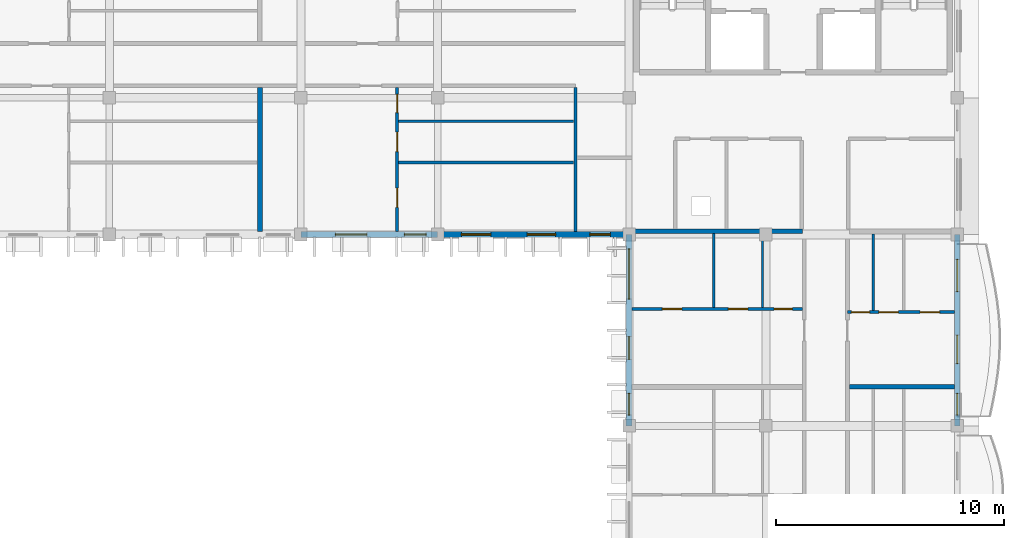
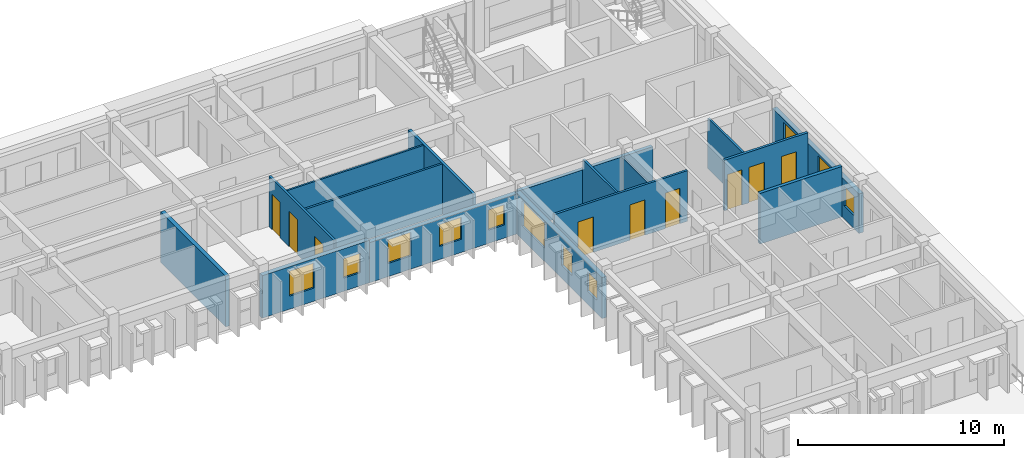
# One storey, part 25 of 45: 16 walls, 10 doors, 10 windows, 20 openings.
"""IFC4 building model written with IfcOpenShell, lengths in metres."""

from ifc_helpers import new_model, si_unit, direction, frame, frame_2d, origin, place, context, subcontext, project, spatial, rectangle, extrude, material, layer, layer_set, type_object, element, fill, save


model = new_model("IFC4")

# Units and contexts
model_context = context("Model", 3, precision=1e-05, world=origin(), true_north=direction((0.0, 1.0)))
body_context = subcontext(model_context, "Body", "Model", "MODEL_VIEW")
ifc_project = project(units=[si_unit("LENGTHUNIT", "METRE"), si_unit("AREAUNIT", "SQUARE_METRE"), si_unit("VOLUMEUNIT", "CUBIC_METRE"), si_unit("PLANEANGLEUNIT", "RADIAN"), si_unit("MASSUNIT", "GRAM", prefix="KILO"), si_unit("THERMODYNAMICTEMPERATUREUNIT", "KELVIN")], contexts=[model_context])

# Site, building, storey
site_placement = place(None, origin())
site = spatial("IfcSite", under=ifc_project, at=site_placement, CompositionType="ELEMENT")
building_placement = place(site_placement, origin())
building = spatial("IfcBuilding", under=site, at=building_placement, Name="Thalorik Housing Commons", CompositionType="ELEMENT")
storey_placement = place(building_placement, frame((0.0, 0.0, 34.5)))
storey = spatial("IfcBuildingStorey", under=building, at=storey_placement, Name="L10", CompositionType="ELEMENT", Elevation=34.5)

# Wall
ifc_material_1 = material(Name="Masonry fire-rated corridor wall", Category="masonry")
ifc_layer_1 = layer(ifc_material_1, 0.14990234375, Name="Masonry fire-rated corridor wall", Category="masonry")
ifc_layer_set_1 = layer_set([ifc_layer_1], Name="Masonry fire-rated corridor wall")
wall_type_1 = type_object("IfcWallType", Name="ARC-WAL-CORR-150", PredefinedType="PARTITIONING", material=ifc_layer_set_1)
wall_1_placement = place(storey_placement, frame((150.050048828125, 109.32958984375, 0.0), z_axis=(0.0, 0.0, 1.0), x_axis=(0.0, 1.0, 0.0)))
element("IfcWall", 1, at=wall_1_placement, inside=storey, type_object=wall_type_1, Name="L10 Block B Vestibule Cheek Wall", PredefinedType="PARTITIONING", context=body_context, shape_type="SweptSolid", body=[
    extrude(rectangle(XDim=6.3134765625, YDim=0.14990234375, at=frame_2d((3.15673828125, 0.0))), origin(), (0.0, 0.0, 1.0), 3.0),
])

# Wall, openings, windows
ifc_material_2 = material(Name="White precast concrete C40/50", Category="concrete")
ifc_layer_2 = layer(ifc_material_2, 0.2548828125, Name="White precast concrete C40/50", Category="concrete")
ifc_layer_set_2 = layer_set([ifc_layer_2], Name="White precast concrete C40/50")
wall_type_2 = type_object("IfcWallType", Name="ARC-WAL-EXT-255", PredefinedType="STANDARD", material=ifc_layer_set_2)
wall_2_placement = place(storey_placement, frame((138.0, 109.199951171875, 0.0), z_axis=(0.0, 0.0, 1.0), x_axis=(1.0, 0.0, 0.0)))
wall_2 = element("IfcWall", 2, at=wall_2_placement, inside=storey, type_object=wall_type_2, Name="L10 Exterior Wall WAL-EXT-L10-B-0759", PredefinedType="STANDARD", context=body_context, shape_type="SweptSolid", body=[
    extrude(rectangle(XDim=6.0, YDim=0.2548828125, at=frame_2d((3.0, 0.0))), origin(), (0.0, 0.0, 1.0), 2.52490234375),
])
opening_1_placement = place(wall_2_placement, frame((1.517578125, 0.0, 0.780029296875)))
opening_1 = element("IfcOpeningElement", 3, at=opening_1_placement, cuts=wall_2, Name="Opening W-49", PredefinedType="OPENING", context=body_context, shape_type="SweptSolid", body=[
    extrude(rectangle(XDim=1.3798828125, YDim=1.47998046875, at=frame_2d((0.68994140625, 0.739990234375))), frame((0.0, 0.137451171875, 0.0), z_axis=(0.0, -1.0, 0.0), x_axis=(1.0, 0.0, 0.0)), (0.0, 0.0, 1.0), 0.27490234375),
])
opening_2_placement = place(wall_2_placement, frame((4.54248046875, 0.0, 0.780029296875)))
opening_2 = element("IfcOpeningElement", 4, at=opening_2_placement, cuts=wall_2, Name="Opening W-43", PredefinedType="OPENING", context=body_context, shape_type="SweptSolid", body=[
    extrude(rectangle(XDim=0.949951171875, YDim=1.14990234375, at=frame_2d((0.47509765625, 0.574951171875))), frame((0.0, 0.137451171875, 0.0), z_axis=(0.0, -1.0, 0.0), x_axis=(1.0, 0.0, 0.0)), (0.0, 0.0, 1.0), 0.27490234375),
])
ifc_material_3 = material(Name="Anodised aluminium and solar-control low-E glass", Category="aluminium")
window_type_1 = type_object("IfcWindowType", Name="ARC-WIN-43", PartitioningType="SINGLE_PANEL", PredefinedType="WINDOW", material=ifc_material_3)
window_1_placement = place(opening_2_placement, origin())
window_1 = element("IfcWindow", 5, at=window_1_placement, inside=storey, type_object=window_type_1, Name="L10 Facade Window 1397", OverallHeight=1.14990234375, OverallWidth=0.949951171875, PartitioningType="SINGLE_PANEL", PredefinedType="WINDOW", context=body_context, shape_type="SweptSolid", body=[
    extrude(rectangle(XDim=0.949951171875, YDim=1.14990234375, at=frame_2d((0.47509765625, 0.574951171875))), frame((0.0, 0.030029296875, 0.0), z_axis=(0.0, -1.0, 0.0), x_axis=(1.0, 0.0, 0.0)), (0.0, 0.0, 1.0), 0.06005859375),
])
fill(opening_2, window_1)
window_type_2 = type_object("IfcWindowType", Name="ARC-WIN-49", PartitioningType="SINGLE_PANEL", PredefinedType="WINDOW", material=ifc_material_3)
window_2_placement = place(opening_1_placement, origin())
window_2 = element("IfcWindow", 6, at=window_2_placement, inside=storey, type_object=window_type_2, Name="L10 Facade Window 1396", OverallHeight=1.47998046875, OverallWidth=1.3798828125, PartitioningType="SINGLE_PANEL", PredefinedType="WINDOW", context=body_context, shape_type="SweptSolid", body=[
    extrude(rectangle(XDim=1.3798828125, YDim=1.47998046875, at=frame_2d((0.68994140625, 0.739990234375))), frame((0.0, 0.030029296875, 0.0), z_axis=(0.0, -1.0, 0.0), x_axis=(1.0, 0.0, 0.0)), (0.0, 0.0, 1.0), 0.06005859375),
])
fill(opening_1, window_2)

wall_3_placement = place(storey_placement, frame((144.0, 109.199951171875, 0.0), z_axis=(0.0, 0.0, 1.0), x_axis=(1.0, 0.0, 0.0)))
wall_3 = element("IfcWall", 7, at=wall_3_placement, inside=storey, type_object=wall_type_2, Name="L10 Exterior Wall WAL-EXT-L10-B-0760", PredefinedType="STANDARD", context=body_context, shape_type="SweptSolid", body=[
    extrude(rectangle(XDim=8.39990234375, YDim=0.2548828125, at=frame_2d((4.199951171875, 0.0))), origin(), (0.0, 0.0, 1.0), 2.375),
])
opening_3_placement = place(wall_3_placement, frame((1.0400390625, 0.0, 0.780029296875)))
opening_3 = element("IfcOpeningElement", 8, at=opening_3_placement, cuts=wall_3, Name="Opening W-06", PredefinedType="OPENING", context=body_context, shape_type="SweptSolid", body=[
    extrude(rectangle(XDim=1.300048828125, YDim=1.39990234375, at=frame_2d((0.64990234375, 0.699951171875))), frame((0.0, 0.137451171875, 0.0), z_axis=(0.0, -1.0, 0.0), x_axis=(1.0, 0.0, 0.0)), (0.0, 0.0, 1.0), 0.27490234375),
])
opening_4_placement = place(wall_3_placement, frame((3.925048828125, 0.0, 0.780029296875)))
opening_4 = element("IfcOpeningElement", 9, at=opening_4_placement, cuts=wall_3, Name="Opening W-46", PredefinedType="OPENING", context=body_context, shape_type="SweptSolid", body=[
    extrude(rectangle(XDim=1.25, YDim=1.300048828125, at=frame_2d((0.625, 0.64990234375))), frame((0.0, 0.137451171875, 0.0), z_axis=(0.0, -1.0, 0.0), x_axis=(1.0, 0.0, 0.0)), (0.0, 0.0, 1.0), 0.27490234375),
])
opening_5_placement = place(wall_3_placement, frame((6.679931640625, 0.0, 0.780029296875)))
opening_5 = element("IfcOpeningElement", 10, at=opening_5_placement, cuts=wall_3, Name="Opening W-01", PredefinedType="OPENING", context=body_context, shape_type="SweptSolid", body=[
    extrude(rectangle(XDim=0.89990234375, YDim=1.199951171875, at=frame_2d((0.449951171875, 0.60009765625))), frame((0.0, 0.137451171875, 0.0), z_axis=(0.0, -1.0, 0.0), x_axis=(1.0, 0.0, 0.0)), (0.0, 0.0, 1.0), 0.27490234375),
])
window_type_3 = type_object("IfcWindowType", Name="ARC-WIN-01", PartitioningType="SINGLE_PANEL", PredefinedType="WINDOW", material=ifc_material_3)
window_3_placement = place(opening_5_placement, origin())
window_3 = element("IfcWindow", 11, at=window_3_placement, inside=storey, type_object=window_type_3, Name="L10 Facade Window 1400", OverallHeight=1.199951171875, OverallWidth=0.89990234375, PartitioningType="SINGLE_PANEL", PredefinedType="WINDOW", context=body_context, shape_type="SweptSolid", body=[
    extrude(rectangle(XDim=0.89990234375, YDim=1.199951171875, at=frame_2d((0.449951171875, 0.60009765625))), frame((0.0, 0.030029296875, 0.0), z_axis=(0.0, -1.0, 0.0), x_axis=(1.0, 0.0, 0.0)), (0.0, 0.0, 1.0), 0.06005859375),
])
fill(opening_5, window_3)
window_type_4 = type_object("IfcWindowType", Name="ARC-WIN-06", PartitioningType="SINGLE_PANEL", PredefinedType="WINDOW", material=ifc_material_3)
window_4_placement = place(opening_3_placement, origin())
window_4 = element("IfcWindow", 12, at=window_4_placement, inside=storey, type_object=window_type_4, Name="L10 Facade Window 1398", OverallHeight=1.39990234375, OverallWidth=1.300048828125, PartitioningType="SINGLE_PANEL", PredefinedType="WINDOW", context=body_context, shape_type="SweptSolid", body=[
    extrude(rectangle(XDim=1.300048828125, YDim=1.39990234375, at=frame_2d((0.64990234375, 0.699951171875))), frame((0.0, 0.030029296875, 0.0), z_axis=(0.0, -1.0, 0.0), x_axis=(1.0, 0.0, 0.0)), (0.0, 0.0, 1.0), 0.06005859375),
])
fill(opening_3, window_4)
window_type_5 = type_object("IfcWindowType", Name="ARC-WIN-46", PartitioningType="SINGLE_PANEL", PredefinedType="WINDOW", material=ifc_material_3)
window_5_placement = place(opening_4_placement, origin())
window_5 = element("IfcWindow", 13, at=window_5_placement, inside=storey, type_object=window_type_5, Name="L10 Facade Window 1399", OverallHeight=1.300048828125, OverallWidth=1.25, PartitioningType="SINGLE_PANEL", PredefinedType="WINDOW", context=body_context, shape_type="SweptSolid", body=[
    extrude(rectangle(XDim=1.25, YDim=1.300048828125, at=frame_2d((0.625, 0.64990234375))), frame((0.0, 0.030029296875, 0.0), z_axis=(0.0, -1.0, 0.0), x_axis=(1.0, 0.0, 0.0)), (0.0, 0.0, 1.0), 0.06005859375),
])
fill(opening_4, window_5)

wall_4_placement = place(storey_placement, frame((152.39990234375, 109.199951171875, 0.0), z_axis=(0.0, 0.0, 1.0), x_axis=(0.0, -1.0, 0.0)))
wall_4 = element("IfcWall", 14, at=wall_4_placement, inside=storey, type_object=wall_type_2, Name="L10 Exterior Wall WAL-EXT-L10-B-0761", PredefinedType="STANDARD", context=body_context, shape_type="SweptSolid", body=[
    extrude(rectangle(XDim=8.39990234375, YDim=0.2548828125, at=frame_2d((4.199951171875, 0.0))), origin(), (0.0, 0.0, 1.0), 2.425048828125),
])
opening_6_placement = place(wall_4_placement, frame((0.6298828125, 0.0, 0.780029296875)))
opening_6 = element("IfcOpeningElement", 15, at=opening_6_placement, cuts=wall_4, Name="Opening W-29", PredefinedType="OPENING", context=body_context, shape_type="SweptSolid", body=[
    extrude(rectangle(XDim=2.199951171875, YDim=1.5, at=frame_2d((1.10009765625, 0.75))), frame((0.0, 0.137451171875, 0.0), z_axis=(0.0, -1.0, 0.0), x_axis=(1.0, 0.0, 0.0)), (0.0, 0.0, 1.0), 0.27490234375),
])
opening_7_placement = place(wall_4_placement, frame((4.47509765625, 0.0, 0.780029296875)))
opening_7 = element("IfcOpeningElement", 16, at=opening_7_placement, cuts=wall_4, Name="Opening W-02", PredefinedType="OPENING", context=body_context, shape_type="SweptSolid", body=[
    extrude(rectangle(XDim=1.0, YDim=1.25, at=frame_2d((0.5, 0.625))), frame((0.0, 0.137451171875, 0.0), z_axis=(0.0, -1.0, 0.0), x_axis=(1.0, 0.0, 0.0)), (0.0, 0.0, 1.0), 0.27490234375),
])
opening_8_placement = place(wall_4_placement, frame((6.969970703125, 0.0, 0.780029296875)))
opening_8 = element("IfcOpeningElement", 17, at=opening_8_placement, cuts=wall_4, Name="Opening W-43", PredefinedType="OPENING", context=body_context, shape_type="SweptSolid", body=[
    extrude(rectangle(XDim=0.949951171875, YDim=1.14990234375, at=frame_2d((0.47509765625, 0.574951171875))), frame((0.0, 0.137451171875, 0.0), z_axis=(0.0, -1.0, 0.0), x_axis=(1.0, 0.0, 0.0)), (0.0, 0.0, 1.0), 0.27490234375),
])
window_type_6 = type_object("IfcWindowType", Name="ARC-WIN-02", PartitioningType="SINGLE_PANEL", PredefinedType="WINDOW", material=ifc_material_3)
window_6_placement = place(opening_7_placement, origin())
window_6 = element("IfcWindow", 18, at=window_6_placement, inside=storey, type_object=window_type_6, Name="L10 Facade Window 1402", OverallHeight=1.25, OverallWidth=1.0, PartitioningType="SINGLE_PANEL", PredefinedType="WINDOW", context=body_context, shape_type="SweptSolid", body=[
    extrude(rectangle(XDim=1.0, YDim=1.25, at=frame_2d((0.5, 0.625))), frame((0.0, 0.030029296875, 0.0), z_axis=(0.0, -1.0, 0.0), x_axis=(1.0, 0.0, 0.0)), (0.0, 0.0, 1.0), 0.06005859375),
])
fill(opening_7, window_6)
window_type_7 = type_object("IfcWindowType", Name="ARC-WIN-29", PartitioningType="DOUBLE_PANEL_VERTICAL", PredefinedType="WINDOW", material=ifc_material_3)
window_7_placement = place(opening_6_placement, origin())
window_7 = element("IfcWindow", 19, at=window_7_placement, inside=storey, type_object=window_type_7, Name="L10 Facade Window 1401", OverallHeight=1.5, OverallWidth=2.199951171875, PartitioningType="DOUBLE_PANEL_VERTICAL", PredefinedType="WINDOW", context=body_context, shape_type="SweptSolid", body=[
    extrude(rectangle(XDim=2.199951171875, YDim=1.5, at=frame_2d((1.10009765625, 0.75))), frame((0.0, 0.030029296875, 0.0), z_axis=(0.0, -1.0, 0.0), x_axis=(1.0, 0.0, 0.0)), (0.0, 0.0, 1.0), 0.06005859375),
])
fill(opening_6, window_7)
window_8_placement = place(opening_8_placement, origin())
window_8 = element("IfcWindow", 20, at=window_8_placement, inside=storey, type_object=window_type_1, Name="L10 Facade Window 1403", OverallHeight=1.14990234375, OverallWidth=0.949951171875, PartitioningType="SINGLE_PANEL", PredefinedType="WINDOW", context=body_context, shape_type="SweptSolid", body=[
    extrude(rectangle(XDim=0.949951171875, YDim=1.14990234375, at=frame_2d((0.47509765625, 0.574951171875))), frame((0.0, 0.030029296875, 0.0), z_axis=(0.0, -1.0, 0.0), x_axis=(1.0, 0.0, 0.0)), (0.0, 0.0, 1.0), 0.06005859375),
])
fill(opening_8, window_8)

# Wall, openings, door, windows
wall_5_placement = place(storey_placement, frame((166.800048828125, 100.800048828125, 0.0), z_axis=(0.0, 0.0, 1.0), x_axis=(0.0, 1.0, 0.0)))
wall_5 = element("IfcWall", 21, at=wall_5_placement, inside=storey, type_object=wall_type_2, Name="L10 Exterior Wall WAL-EXT-L10-B-0768", PredefinedType="STANDARD", context=body_context, shape_type="SweptSolid", body=[
    extrude(rectangle(XDim=8.39990234375, YDim=0.2548828125, at=frame_2d((4.199951171875, 0.0))), origin(), (0.0, 0.0, 1.0), 2.344970703125),
])
opening_9_placement = place(wall_5_placement, frame((2.731689453125, 0.0, 0.0)))
opening_9 = element("IfcOpeningElement", 22, at=opening_9_placement, cuts=wall_5, Name="Opening ED-0262", PredefinedType="OPENING", context=body_context, shape_type="SweptSolid", body=[
    extrude(rectangle(XDim=1.25, YDim=2.199951171875, at=frame_2d((0.625, 1.10009765625))), frame((0.0, 0.137451171875, 0.0), z_axis=(0.0, -1.0, 0.0), x_axis=(1.0, 0.0, 0.0)), (0.0, 0.0, 1.0), 0.27490234375),
])
opening_10_placement = place(wall_5_placement, frame((0.47998046875, 0.0, 0.780029296875)))
opening_10 = element("IfcOpeningElement", 23, at=opening_10_placement, cuts=wall_5, Name="Opening W-43", PredefinedType="OPENING", context=body_context, shape_type="SweptSolid", body=[
    extrude(rectangle(XDim=0.949951171875, YDim=1.14990234375, at=frame_2d((0.47509765625, 0.574951171875))), frame((0.0, 0.137451171875, 0.0), z_axis=(0.0, -1.0, 0.0), x_axis=(1.0, 0.0, 0.0)), (0.0, 0.0, 1.0), 0.27490234375),
])
opening_11_placement = place(wall_5_placement, frame((5.891845703125, 0.0, 0.780029296875)))
opening_11 = element("IfcOpeningElement", 24, at=opening_11_placement, cuts=wall_5, Name="Opening W-50", PredefinedType="OPENING", context=body_context, shape_type="SweptSolid", body=[
    extrude(rectangle(XDim=1.419921875, YDim=1.3798828125, at=frame_2d((0.7099609375, 0.68994140625))), frame((0.0, 0.137451171875, 0.0), z_axis=(0.0, -1.0, 0.0), x_axis=(1.0, 0.0, 0.0)), (0.0, 0.0, 1.0), 0.27490234375),
])
ifc_material_4 = material(Name="Anodised aluminium and laminated safety glass", Category="aluminium")
door_type_1 = type_object("IfcDoorType", Name="ARC-DR-BAL-1250", OperationType="NOTDEFINED", PredefinedType="DOOR", material=ifc_material_4)
door_1_placement = place(opening_9_placement, frame((1.25, 0.0, 0.0), z_axis=(0.0, 0.0, 1.0), x_axis=(-1.0, 0.0, 0.0)))
door_1 = element("IfcDoor", 25, at=door_1_placement, inside=storey, type_object=door_type_1, Name="L10 Block B Balcony Glazed Door", OperationType="SINGLE_SWING_LEFT", OverallHeight=2.199951171875, OverallWidth=1.25, PredefinedType="DOOR", context=body_context, shape_type="SweptSolid", body=[
    extrude(rectangle(XDim=1.25, YDim=2.199951171875, at=frame_2d((0.625, 1.10009765625))), frame((0.0, 0.02490234375, 0.0), z_axis=(0.0, -1.0, 0.0), x_axis=(1.0, 0.0, 0.0)), (0.0, 0.0, 1.0), 0.050048828125),
])
fill(opening_9, door_1)
window_9_placement = place(opening_10_placement, origin())
window_9 = element("IfcWindow", 26, at=window_9_placement, inside=storey, type_object=window_type_1, Name="L10 Facade Window 1417", OverallHeight=1.14990234375, OverallWidth=0.949951171875, PartitioningType="SINGLE_PANEL", PredefinedType="WINDOW", context=body_context, shape_type="SweptSolid", body=[
    extrude(rectangle(XDim=0.949951171875, YDim=1.14990234375, at=frame_2d((0.47509765625, 0.574951171875))), frame((0.0, 0.030029296875, 0.0), z_axis=(0.0, -1.0, 0.0), x_axis=(1.0, 0.0, 0.0)), (0.0, 0.0, 1.0), 0.06005859375),
])
fill(opening_10, window_9)
window_type_8 = type_object("IfcWindowType", Name="ARC-WIN-50", PartitioningType="SINGLE_PANEL", PredefinedType="WINDOW", material=ifc_material_3)
window_10_placement = place(opening_11_placement, origin())
window_10 = element("IfcWindow", 27, at=window_10_placement, inside=storey, type_object=window_type_8, Name="L10 Facade Window 1418", OverallHeight=1.3798828125, OverallWidth=1.419921875, PartitioningType="SINGLE_PANEL", PredefinedType="WINDOW", context=body_context, shape_type="SweptSolid", body=[
    extrude(rectangle(XDim=1.419921875, YDim=1.3798828125, at=frame_2d((0.7099609375, 0.68994140625))), frame((0.0, 0.030029296875, 0.0), z_axis=(0.0, -1.0, 0.0), x_axis=(1.0, 0.0, 0.0)), (0.0, 0.0, 1.0), 0.06005859375),
])
fill(opening_11, window_10)

# Walls
ifc_material_5 = material(Name="Gypsum light stud partition", Category="masonry")
ifc_layer_3 = layer(ifc_material_5, 0.10009765625, Name="Gypsum light stud partition", Category="masonry")
ifc_layer_set_3 = layer_set([ifc_layer_3], Name="Gypsum light stud partition")
wall_type_3 = type_object("IfcWallType", Name="ARC-WAL-PART-100", PredefinedType="PARTITIONING", material=ifc_layer_set_3)
wall_6_placement = place(storey_placement, frame((142.28955078125, 114.169677734375, 0.0), z_axis=(0.0, 0.0, 1.0), x_axis=(1.0, 0.0, 0.0)))
element("IfcWall", 28, at=wall_6_placement, inside=storey, type_object=wall_type_3, Name="L10 Unit 3 Wet Wall", PredefinedType="PARTITIONING", context=body_context, shape_type="SweptSolid", body=[
    extrude(rectangle(XDim=7.683349609375, YDim=0.10009765625, at=frame_2d((3.841796875, 0.0))), origin(), (0.0, 0.0, 1.0), 3.0),
])
wall_7_placement = place(storey_placement, frame((158.251220703125, 105.994384765625, 0.0), z_axis=(0.0, 0.0, 1.0), x_axis=(0.0, 1.0, 0.0)))
element("IfcWall", 29, at=wall_7_placement, inside=storey, type_object=wall_type_3, Name="L10 Unit 3 Wet Wall", PredefinedType="PARTITIONING", context=body_context, shape_type="SweptSolid", body=[
    extrude(rectangle(XDim=3.24365234375, YDim=0.10009765625, at=frame_2d((1.621826171875, 0.0))), origin(), (0.0, 0.0, 1.0), 2.425048828125),
])
ifc_material_6 = material(Name="Gypsum moisture-resistant partition", Category="masonry")
ifc_layer_4 = layer(ifc_material_6, 0.114990234375, Name="Gypsum moisture-resistant partition", Category="masonry")
ifc_layer_set_4 = layer_set([ifc_layer_4], Name="Gypsum moisture-resistant partition")
wall_type_4 = type_object("IfcWallType", Name="ARC-WAL-PART-115", PredefinedType="PARTITIONING", material=ifc_layer_set_4)
wall_8_placement = place(storey_placement, frame((142.28955078125, 112.36083984375, 0.0), z_axis=(0.0, 0.0, 1.0), x_axis=(1.0, 0.0, 0.0)))
element("IfcWall", 30, at=wall_8_placement, inside=storey, type_object=wall_type_4, Name="L10 Unit 3 Bedroom Partition", PredefinedType="PARTITIONING", context=body_context, shape_type="SweptSolid", body=[
    extrude(rectangle(XDim=7.683349609375, YDim=0.114990234375, at=frame_2d((3.841796875, 0.0))), origin(), (0.0, 0.0, 1.0), 3.0),
])
wall_9_placement = place(storey_placement, frame((156.11767578125, 105.994384765625, 0.0), z_axis=(0.0, 0.0, 1.0), x_axis=(0.0, 1.0, 0.0)))
element("IfcWall", 31, at=wall_9_placement, inside=storey, type_object=wall_type_4, Name="L10 Unit 3 Bedroom Partition", PredefinedType="PARTITIONING", context=body_context, shape_type="SweptSolid", body=[
    extrude(rectangle(XDim=3.24365234375, YDim=0.114990234375, at=frame_2d((1.621826171875, 0.0))), origin(), (0.0, 0.0, 1.0), 3.0),
])
wall_10_placement = place(storey_placement, frame((163.122314453125, 105.865478515625, 0.0), z_axis=(0.0, 0.0, 1.0), x_axis=(0.0, 1.0, 0.0)))
element("IfcWall", 32, at=wall_10_placement, inside=storey, type_object=wall_type_4, Name="L10 Unit 3B Wet Wall", PredefinedType="PARTITIONING", context=body_context, shape_type="SweptSolid", body=[
    extrude(rectangle(XDim=3.362548828125, YDim=0.114990234375, at=frame_2d((1.68115234375, 0.0))), origin(), (0.0, 0.0, 1.0), 3.0),
])

# Wall, openings, doors
ifc_material_7 = material(Name="Gypsum acoustic stud partition", Category="masonry")
ifc_layer_5 = layer(ifc_material_7, 0.125, Name="Gypsum acoustic stud partition", Category="masonry")
ifc_layer_set_5 = layer_set([ifc_layer_5], Name="Gypsum acoustic stud partition")
wall_type_5 = type_object("IfcWallType", Name="ARC-WAL-PART-125", PredefinedType="PARTITIONING", material=ifc_layer_set_5)
wall_11_placement = place(storey_placement, frame((142.22509765625, 109.32958984375, 0.0), z_axis=(0.0, 0.0, 1.0), x_axis=(0.0, 1.0, 0.0)))
wall_11 = element("IfcWall", 33, at=wall_11_placement, inside=storey, type_object=wall_type_5, Name="L10 Unit 3 Spine Partition", PredefinedType="PARTITIONING", context=body_context, shape_type="SweptSolid", body=[
    extrude(rectangle(XDim=6.3134765625, YDim=0.125, at=frame_2d((3.15673828125, 0.0))), origin(), (0.0, 0.0, 1.0), 3.0),
])
opening_12_placement = place(wall_11_placement, frame((1.055908203125, 0.0, 0.0)))
opening_12 = element("IfcOpeningElement", 34, at=opening_12_placement, cuts=wall_11, Name="Opening ID-1442", PredefinedType="OPENING", context=body_context, shape_type="SweptSolid", body=[
    extrude(rectangle(XDim=0.85009765625, YDim=2.10009765625, at=frame_2d((0.425048828125, 1.050048828125))), frame((0.0, 0.072509765625, 0.0), z_axis=(0.0, -1.0, 0.0), x_axis=(1.0, 0.0, 0.0)), (0.0, 0.0, 1.0), 0.14501953125),
])
opening_13_placement = place(wall_11_placement, frame((3.5107421875, 0.0, 0.0)))
opening_13 = element("IfcOpeningElement", 35, at=opening_13_placement, cuts=wall_11, Name="Opening ID-1443", PredefinedType="OPENING", context=body_context, shape_type="SweptSolid", body=[
    extrude(rectangle(XDim=0.85009765625, YDim=2.10009765625, at=frame_2d((0.425048828125, 1.050048828125))), frame((0.0, 0.072509765625, 0.0), z_axis=(0.0, -1.0, 0.0), x_axis=(1.0, 0.0, 0.0)), (0.0, 0.0, 1.0), 0.14501953125),
])
opening_14_placement = place(wall_11_placement, frame((5.21533203125, 0.0, 0.0)))
opening_14 = element("IfcOpeningElement", 36, at=opening_14_placement, cuts=wall_11, Name="Opening ID-1444", PredefinedType="OPENING", context=body_context, shape_type="SweptSolid", body=[
    extrude(rectangle(XDim=0.800048828125, YDim=2.10009765625, at=frame_2d((0.39990234375, 1.050048828125))), frame((0.0, 0.072509765625, 0.0), z_axis=(0.0, -1.0, 0.0), x_axis=(1.0, 0.0, 0.0)), (0.0, 0.0, 1.0), 0.14501953125),
])
ifc_material_8 = material(Name="Moisture-resistant timber", Category="wood")
door_type_2 = type_object("IfcDoorType", Name="ARC-DR-INT-800", OperationType="NOTDEFINED", PredefinedType="DOOR", material=ifc_material_8)
door_2_placement = place(opening_14_placement, origin())
door_2 = element("IfcDoor", 37, at=door_2_placement, inside=storey, type_object=door_type_2, Name="L10 Flat Bathroom Door", OperationType="SINGLE_SWING_LEFT", OverallHeight=2.10009765625, OverallWidth=0.800048828125, PredefinedType="DOOR", context=body_context, shape_type="SweptSolid", body=[
    extrude(rectangle(XDim=0.800048828125, YDim=2.10009765625, at=frame_2d((0.39990234375, 1.050048828125))), frame((0.0, 0.02490234375, 0.0), z_axis=(0.0, -1.0, 0.0), x_axis=(1.0, 0.0, 0.0)), (0.0, 0.0, 1.0), 0.050048828125),
])
fill(opening_14, door_2)
ifc_material_9 = material(Name="Engineered oak timber", Category="wood")
door_type_3 = type_object("IfcDoorType", Name="ARC-DR-INT-850", OperationType="NOTDEFINED", PredefinedType="DOOR", material=ifc_material_9)
door_3_placement = place(opening_12_placement, origin())
door_3 = element("IfcDoor", 38, at=door_3_placement, inside=storey, type_object=door_type_3, Name="L10 Double Bedroom Door", OperationType="SINGLE_SWING_LEFT", OverallHeight=2.10009765625, OverallWidth=0.85009765625, PredefinedType="DOOR", context=body_context, shape_type="SweptSolid", body=[
    extrude(rectangle(XDim=0.85009765625, YDim=2.10009765625, at=frame_2d((0.425048828125, 1.050048828125))), frame((0.0, 0.02490234375, 0.0), z_axis=(0.0, -1.0, 0.0), x_axis=(1.0, 0.0, 0.0)), (0.0, 0.0, 1.0), 0.050048828125),
])
fill(opening_12, door_3)
door_4_placement = place(opening_13_placement, origin())
door_4 = element("IfcDoor", 39, at=door_4_placement, inside=storey, type_object=door_type_3, Name="L10 Galley Kitchen Door", OperationType="SINGLE_SWING_RIGHT", OverallHeight=2.10009765625, OverallWidth=0.85009765625, PredefinedType="DOOR", context=body_context, shape_type="SweptSolid", body=[
    extrude(rectangle(XDim=0.85009765625, YDim=2.10009765625, at=frame_2d((0.425048828125, 1.050048828125))), frame((0.0, 0.02490234375, 0.0), z_axis=(0.0, -1.0, 0.0), x_axis=(1.0, 0.0, 0.0)), (0.0, 0.0, 1.0), 0.050048828125),
])
fill(opening_13, door_4)

wall_12_placement = place(storey_placement, frame((152.529541015625, 105.929931640625, 0.0), z_axis=(0.0, 0.0, 1.0), x_axis=(1.0, 0.0, 0.0)))
wall_12 = element("IfcWall", 40, at=wall_12_placement, inside=storey, type_object=wall_type_5, Name="L10 Unit 3 Spine Partition", PredefinedType="PARTITIONING", context=body_context, shape_type="SweptSolid", body=[
    extrude(rectangle(XDim=7.473388671875, YDim=0.125, at=frame_2d((3.73681640625, 0.0))), origin(), (0.0, 0.0, 1.0), 3.0),
])
opening_15_placement = place(wall_12_placement, frame((1.334228515625, 0.0, 0.0)))
opening_15 = element("IfcOpeningElement", 41, at=opening_15_placement, cuts=wall_12, Name="Opening ID-1466", PredefinedType="OPENING", context=body_context, shape_type="SweptSolid", body=[
    extrude(rectangle(XDim=0.85009765625, YDim=2.10009765625, at=frame_2d((0.425048828125, 1.050048828125))), frame((0.0, 0.072509765625, 0.0), z_axis=(0.0, -1.0, 0.0), x_axis=(1.0, 0.0, 0.0)), (0.0, 0.0, 1.0), 0.14501953125),
])
opening_16_placement = place(wall_12_placement, frame((4.22998046875, 0.0, 0.0)))
opening_16 = element("IfcOpeningElement", 42, at=opening_16_placement, cuts=wall_12, Name="Opening ID-1467", PredefinedType="OPENING", context=body_context, shape_type="SweptSolid", body=[
    extrude(rectangle(XDim=0.85009765625, YDim=2.10009765625, at=frame_2d((0.425048828125, 1.050048828125))), frame((0.0, 0.072509765625, 0.0), z_axis=(0.0, -1.0, 0.0), x_axis=(1.0, 0.0, 0.0)), (0.0, 0.0, 1.0), 0.14501953125),
])
opening_17_placement = place(wall_12_placement, frame((6.236083984375, 0.0, 0.0)))
opening_17 = element("IfcOpeningElement", 43, at=opening_17_placement, cuts=wall_12, Name="Opening ID-1468", PredefinedType="OPENING", context=body_context, shape_type="SweptSolid", body=[
    extrude(rectangle(XDim=0.800048828125, YDim=2.10009765625, at=frame_2d((0.39990234375, 1.050048828125))), frame((0.0, 0.072509765625, 0.0), z_axis=(0.0, -1.0, 0.0), x_axis=(1.0, 0.0, 0.0)), (0.0, 0.0, 1.0), 0.14501953125),
])
door_5_placement = place(opening_17_placement, origin())
door_5 = element("IfcDoor", 44, at=door_5_placement, inside=storey, type_object=door_type_2, Name="L10 Flat Bathroom Door", OperationType="SINGLE_SWING_LEFT", OverallHeight=2.10009765625, OverallWidth=0.800048828125, PredefinedType="DOOR", context=body_context, shape_type="SweptSolid", body=[
    extrude(rectangle(XDim=0.800048828125, YDim=2.10009765625, at=frame_2d((0.39990234375, 1.050048828125))), frame((0.0, 0.02490234375, 0.0), z_axis=(0.0, -1.0, 0.0), x_axis=(1.0, 0.0, 0.0)), (0.0, 0.0, 1.0), 0.050048828125),
])
fill(opening_17, door_5)
door_6_placement = place(opening_15_placement, origin())
door_6 = element("IfcDoor", 45, at=door_6_placement, inside=storey, type_object=door_type_3, Name="L10 Double Bedroom Door", OperationType="SINGLE_SWING_LEFT", OverallHeight=2.10009765625, OverallWidth=0.85009765625, PredefinedType="DOOR", context=body_context, shape_type="SweptSolid", body=[
    extrude(rectangle(XDim=0.85009765625, YDim=2.10009765625, at=frame_2d((0.425048828125, 1.050048828125))), frame((0.0, 0.02490234375, 0.0), z_axis=(0.0, -1.0, 0.0), x_axis=(1.0, 0.0, 0.0)), (0.0, 0.0, 1.0), 0.050048828125),
])
fill(opening_15, door_6)
door_7_placement = place(opening_16_placement, origin())
door_7 = element("IfcDoor", 46, at=door_7_placement, inside=storey, type_object=door_type_3, Name="L10 Galley Kitchen Door", OperationType="SINGLE_SWING_RIGHT", OverallHeight=2.10009765625, OverallWidth=0.85009765625, PredefinedType="DOOR", context=body_context, shape_type="SweptSolid", body=[
    extrude(rectangle(XDim=0.85009765625, YDim=2.10009765625, at=frame_2d((0.425048828125, 1.050048828125))), frame((0.0, 0.02490234375, 0.0), z_axis=(0.0, -1.0, 0.0), x_axis=(1.0, 0.0, 0.0)), (0.0, 0.0, 1.0), 0.050048828125),
])
fill(opening_16, door_7)

ifc_material_10 = material(Name="Ceramic masonry partition wall", Category="masonry")
ifc_layer_6 = layer(ifc_material_10, 0.139892578125, Name="Ceramic masonry partition wall", Category="masonry")
ifc_layer_set_6 = layer_set([ifc_layer_6], Name="Ceramic masonry partition wall")
wall_type_6 = type_object("IfcWallType", Name="ARC-WAL-PART-140", PredefinedType="PARTITIONING", material=ifc_layer_set_6)
wall_13_placement = place(storey_placement, frame((161.97998046875, 105.793701171875, 0.0), z_axis=(0.0, 0.0, 1.0), x_axis=(1.0, 0.0, 0.0)))
wall_13 = element("IfcWall", 47, at=wall_13_placement, inside=storey, type_object=wall_type_6, Name="L10 Unit 3B Spine Partition", PredefinedType="PARTITIONING", context=body_context, shape_type="SweptSolid", body=[
    extrude(rectangle(XDim=4.6904296875, YDim=0.139892578125, at=frame_2d((2.34521484375, 0.0))), origin(), (0.0, 0.0, 1.0), 3.0),
])
opening_18_placement = place(wall_13_placement, frame((0.171142578125, 0.0, 0.0)))
opening_18 = element("IfcOpeningElement", 48, at=opening_18_placement, cuts=wall_13, Name="Opening ID-1469", PredefinedType="OPENING", context=body_context, shape_type="SweptSolid", body=[
    extrude(rectangle(XDim=0.800048828125, YDim=2.10009765625, at=frame_2d((0.39990234375, 1.050048828125))), frame((0.0, 0.080078125, 0.0), z_axis=(0.0, -1.0, 0.0), x_axis=(1.0, 0.0, 0.0)), (0.0, 0.0, 1.0), 0.159912109375),
])
opening_19_placement = place(wall_13_placement, frame((1.3837890625, 0.0, 0.0)))
opening_19 = element("IfcOpeningElement", 49, at=opening_19_placement, cuts=wall_13, Name="Opening ID-1470", PredefinedType="OPENING", context=body_context, shape_type="SweptSolid", body=[
    extrude(rectangle(XDim=0.85009765625, YDim=2.10009765625, at=frame_2d((0.425048828125, 1.050048828125))), frame((0.0, 0.080078125, 0.0), z_axis=(0.0, -1.0, 0.0), x_axis=(1.0, 0.0, 0.0)), (0.0, 0.0, 1.0), 0.159912109375),
])
opening_20_placement = place(wall_13_placement, frame((3.192626953125, 0.0, 0.0)))
opening_20 = element("IfcOpeningElement", 50, at=opening_20_placement, cuts=wall_13, Name="Opening ID-1471", PredefinedType="OPENING", context=body_context, shape_type="SweptSolid", body=[
    extrude(rectangle(XDim=0.85009765625, YDim=2.10009765625, at=frame_2d((0.425048828125, 1.050048828125))), frame((0.0, 0.080078125, 0.0), z_axis=(0.0, -1.0, 0.0), x_axis=(1.0, 0.0, 0.0)), (0.0, 0.0, 1.0), 0.159912109375),
])
door_8_placement = place(opening_18_placement, origin())
door_8 = element("IfcDoor", 51, at=door_8_placement, inside=storey, type_object=door_type_2, Name="L10 Accessible Bathroom Door", OperationType="SINGLE_SWING_RIGHT", OverallHeight=2.10009765625, OverallWidth=0.800048828125, PredefinedType="DOOR", context=body_context, shape_type="SweptSolid", body=[
    extrude(rectangle(XDim=0.800048828125, YDim=2.10009765625, at=frame_2d((0.39990234375, 1.050048828125))), frame((0.0, 0.02490234375, 0.0), z_axis=(0.0, -1.0, 0.0), x_axis=(1.0, 0.0, 0.0)), (0.0, 0.0, 1.0), 0.050048828125),
])
fill(opening_18, door_8)
door_9_placement = place(opening_19_placement, origin())
door_9 = element("IfcDoor", 52, at=door_9_placement, inside=storey, type_object=door_type_3, Name="L10 Eat-In Kitchen Door", OperationType="SINGLE_SWING_LEFT", OverallHeight=2.10009765625, OverallWidth=0.85009765625, PredefinedType="DOOR", context=body_context, shape_type="SweptSolid", body=[
    extrude(rectangle(XDim=0.85009765625, YDim=2.10009765625, at=frame_2d((0.425048828125, 1.050048828125))), frame((0.0, 0.02490234375, 0.0), z_axis=(0.0, -1.0, 0.0), x_axis=(1.0, 0.0, 0.0)), (0.0, 0.0, 1.0), 0.050048828125),
])
fill(opening_19, door_9)
door_10_placement = place(opening_20_placement, origin())
door_10 = element("IfcDoor", 53, at=door_10_placement, inside=storey, type_object=door_type_3, Name="L10 Master Bedroom Door", OperationType="SINGLE_SWING_RIGHT", OverallHeight=2.10009765625, OverallWidth=0.85009765625, PredefinedType="DOOR", context=body_context, shape_type="SweptSolid", body=[
    extrude(rectangle(XDim=0.85009765625, YDim=2.10009765625, at=frame_2d((0.425048828125, 1.050048828125))), frame((0.0, 0.02490234375, 0.0), z_axis=(0.0, -1.0, 0.0), x_axis=(1.0, 0.0, 0.0)), (0.0, 0.0, 1.0), 0.050048828125),
])
fill(opening_20, door_10)

# Walls
ifc_material_11 = material(Name="Masonry acoustic blockwork wall", Category="masonry")
ifc_layer_7 = layer(ifc_material_11, 0.18505859375, Name="Masonry acoustic blockwork wall", Category="masonry")
ifc_layer_set_7 = layer_set([ifc_layer_7], Name="Masonry acoustic blockwork wall")
wall_type_7 = type_object("IfcWallType", Name="ARC-WAL-PARTY-185", PredefinedType="PARTITIONING", material=ifc_layer_set_7)
wall_14_placement = place(storey_placement, frame((162.064453125, 102.52001953125, 0.0), z_axis=(0.0, 0.0, 1.0), x_axis=(1.0, 0.0, 0.0)))
element("IfcWall", 54, at=wall_14_placement, inside=storey, type_object=wall_type_7, Name="L10 Inter-Tenancy Wall 2B", PredefinedType="PARTITIONING", context=body_context, shape_type="SweptSolid", body=[
    extrude(rectangle(XDim=4.60595703125, YDim=0.18505859375, at=frame_2d((2.302978515625, 0.0))), origin(), (0.0, 0.0, 1.0), 3.0),
])
ifc_material_12 = material(Name="Precast concrete C40/50 acoustic wall", Category="concrete")
ifc_layer_8 = layer(ifc_material_12, 0.199951171875, Name="Precast concrete C40/50 acoustic wall", Category="concrete")
ifc_layer_set_8 = layer_set([ifc_layer_8], Name="Precast concrete C40/50 acoustic wall")
wall_type_8 = type_object("IfcWallType", Name="ARC-WAL-PARTY-200", PredefinedType="PARTITIONING", material=ifc_layer_set_8)
wall_15_placement = place(storey_placement, frame((152.4599609375, 109.340087890625, 0.0), z_axis=(0.0, 0.0, 1.0), x_axis=(1.0, 0.0, 0.0)))
element("IfcWall", 55, at=wall_15_placement, inside=storey, type_object=wall_type_8, Name="L10 Core End Wall A", PredefinedType="PARTITIONING", context=body_context, shape_type="SweptSolid", body=[
    extrude(rectangle(XDim=7.54296875, YDim=0.199951171875, at=frame_2d((3.771484375, 0.0))), origin(), (0.0, 0.0, 1.0), 2.375),
])
ifc_layer_9 = layer(ifc_material_12, 0.219970703125, Name="Precast concrete C40/50 acoustic wall", Category="concrete")
ifc_layer_set_9 = layer_set([ifc_layer_9], Name="Precast concrete C40/50 acoustic wall")
wall_type_9 = type_object("IfcWallType", Name="ARC-WAL-PARTY-220", PredefinedType="PARTITIONING", material=ifc_layer_set_9)
wall_16_placement = place(storey_placement, frame((136.199951171875, 109.32958984375, 0.0), z_axis=(0.0, 0.0, 1.0), x_axis=(0.0, 1.0, 0.0)))
element("IfcWall", 56, at=wall_16_placement, inside=storey, type_object=wall_type_9, Name="L10 Inter-Tenancy Wall 2A", PredefinedType="PARTITIONING", context=body_context, shape_type="SweptSolid", body=[
    extrude(rectangle(XDim=6.3134765625, YDim=0.219970703125, at=frame_2d((3.15673828125, 0.0))), origin(), (0.0, 0.0, 1.0), 3.0),
])

save(model, "model.ifc")
